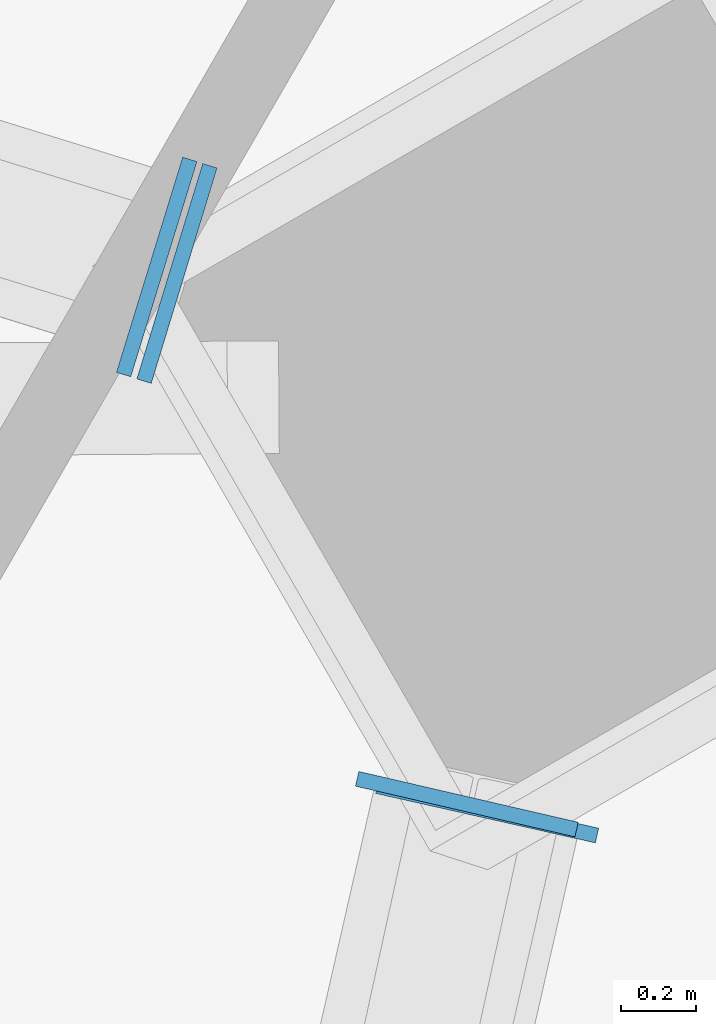
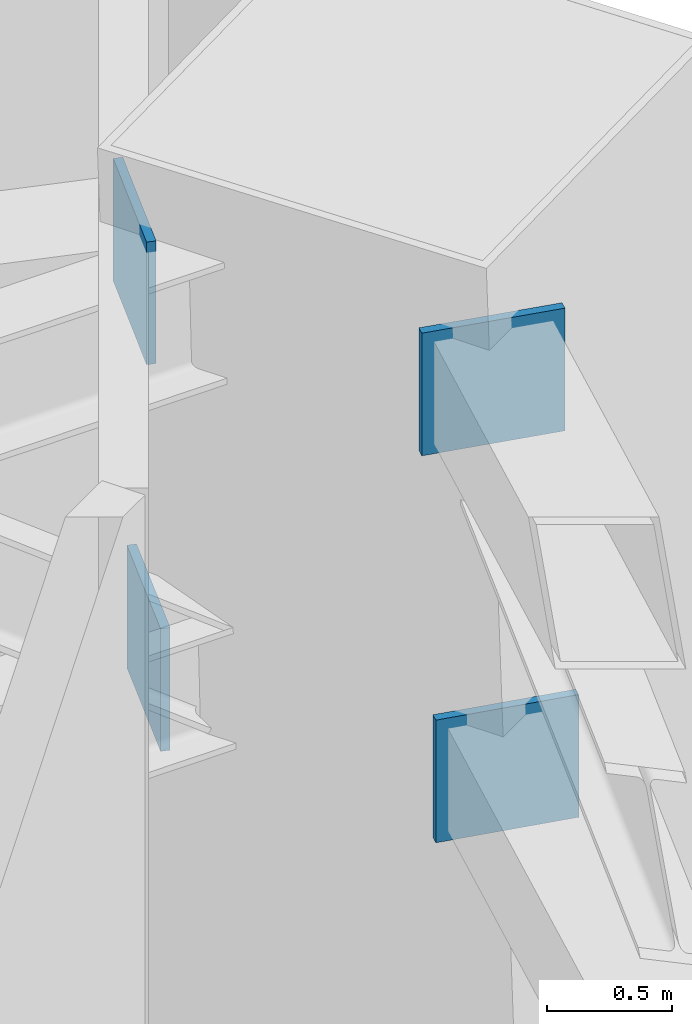
# One storey, part 11 of 13: 4 discrete accessories.
"""IFC4 building model written with IfcOpenShell, lengths in metres."""

import ifcopenshell
import ifcopenshell.guid

model = None  # the IFC model being written
_history = None  # IfcOwnerHistory: only IFC2X3 demands one
_inside = {}  # id of a spatial element -> (the spatial element, [elements in it])
_under = {}  # id of a project, library or spatial element -> (it, [spatial elements below it])
_declared = {}  # id of a project -> (the project, [libraries it declares])
_typed = {}  # id of a type object -> (the type object, [elements of that type])
_made_of = {}  # id of a material, layer set ... -> (it, [elements and type objects made of it])


def new_model(schema):
    """Start an empty IFC model of exactly this schema.

    Asked for "IFC4X3", IfcOpenShell would pick the latest addendum, in which some entities
    have other attributes; the version numbers below select the first issue.
    IFC2X3 requires an IfcOwnerHistory on every rooted entity: one is made here for all.
    """
    global model, _history
    if schema == "IFC4X3":
        model = ifcopenshell.file(schema_version=(4, 3, 0, 0))
    else:
        model = ifcopenshell.file(schema=schema)
    _inside.clear()
    _under.clear()
    _declared.clear()
    _typed.clear()
    _made_of.clear()
    _history = None
    if model.schema == "IFC2X3":
        org = make("IfcOrganization", Name="unknown")
        user = make(
            "IfcPersonAndOrganization",
            ThePerson=make("IfcPerson", FamilyName="unknown"),
            TheOrganization=org,
        )
        app = make(
            "IfcApplication",
            ApplicationDeveloper=org,
            Version="unknown",
            ApplicationFullName="unknown",
            ApplicationIdentifier="unknown",
        )
        _history = make(
            "IfcOwnerHistory",
            OwningUser=user,
            OwningApplication=app,
            ChangeAction="ADDED",
            CreationDate=0,
        )
    return model


def make(cls, **values):
    """One entity of the class cls with the attributes given. An attribute that is None is left unset."""
    return model.create_entity(
        cls, **{name: value for name, value in values.items() if value is not None}
    )


def rooted(cls, **values):
    """An entity with a GlobalId (a new one), such as an element, a storey or a relation."""
    return make(cls, GlobalId=ifcopenshell.guid.new(), OwnerHistory=_history, **values)


def si_unit(unit_type, name, prefix=None):
    """IfcSIUnit, for example si_unit("LENGTHUNIT", "METRE", prefix="MILLI")."""
    return make("IfcSIUnit", UnitType=unit_type, Prefix=prefix, Name=name)


def assignment(units):
    """IfcUnitAssignment: the units of a project."""
    return None if units is None else make("IfcUnitAssignment", Units=units)


def point(xyz):
    """IfcCartesianPoint."""
    return None if xyz is None else make("IfcCartesianPoint", Coordinates=xyz)


def direction(xyz):
    """IfcDirection."""
    return None if xyz is None else make("IfcDirection", DirectionRatios=xyz)


def frame(location, z_axis=None, x_axis=None):
    """IfcAxis2Placement3D, a coordinate frame: its origin and axes. An axis left out is left unset."""
    return make(
        "IfcAxis2Placement3D",
        Location=point(location),
        Axis=direction(z_axis),
        RefDirection=direction(x_axis),
    )


def frame_2d(location, x_axis=None):
    """IfcAxis2Placement2D, a coordinate frame in the plane: its origin and x axis."""
    return make(
        "IfcAxis2Placement2D", Location=point(location), RefDirection=direction(x_axis)
    )


def origin():
    """The frame at (0, 0, 0) with its axes left unset."""
    return frame((0.0, 0.0, 0.0))


def origin_2d():
    """The frame at (0, 0) in the plane with its x axis left unset."""
    return frame_2d((0.0, 0.0))


def place(relative_to, where):
    """IfcLocalPlacement: puts the frame where relative to a parent placement (None: the world)."""
    return make(
        "IfcLocalPlacement", PlacementRelTo=relative_to, RelativePlacement=where
    )


def context(
    kind, dimensions, precision=None, world=None, true_north=None, identifier=None
):
    """IfcGeometricRepresentationContext, for example the 3D "Model" context."""
    return make(
        "IfcGeometricRepresentationContext",
        ContextIdentifier=identifier,
        ContextType=kind,
        CoordinateSpaceDimension=dimensions,
        Precision=precision,
        WorldCoordinateSystem=world,
        TrueNorth=true_north,
    )


def subcontext(parent, identifier, kind, view, scale=None):
    """IfcGeometricRepresentationSubContext, for example "Body" below "Model"."""
    return make(
        "IfcGeometricRepresentationSubContext",
        ContextIdentifier=identifier,
        ContextType=kind,
        ParentContext=parent,
        TargetScale=scale,
        TargetView=view,
    )


def project(units=None, contexts=None):
    """IfcProject with its units and contexts."""
    return rooted(
        "IfcProject",
        Name="project",
        RepresentationContexts=contexts,
        UnitsInContext=assignment(units),
    )


def spatial(cls, under=None, at=None, **own):
    """A site, building, storey or space (cls), placed at a placement, below another one or the project."""
    s = rooted(cls, ObjectPlacement=at, **own)
    if under is not None:
        _under.setdefault(under.id(), (under, []))[1].append(s)
    return s


def profile(cls, at=None, kind="AREA", **sizes):
    """A parametric profile (cls). Its sizes go by their IFC names, for example OverallWidth=200.0."""
    return make(cls, ProfileType=kind, Position=at, **sizes)


def rectangle(**sizes):
    """IfcRectangleProfileDef."""
    return profile("IfcRectangleProfileDef", **sizes)


def extrude(swept, where, along, depth):
    """IfcExtrudedAreaSolid: the profile swept, set in the frame where, extruded along a direction by depth."""
    return make(
        "IfcExtrudedAreaSolid",
        SweptArea=swept,
        Position=where,
        ExtrudedDirection=direction(along),
        Depth=depth,
    )


def shape(context_of_items, identifier, shape_type, items):
    """IfcShapeRepresentation: the items that make up one representation, for example the "Body"."""
    return make(
        "IfcShapeRepresentation",
        ContextOfItems=context_of_items,
        RepresentationIdentifier=identifier,
        RepresentationType=shape_type,
        Items=items,
    )


def material(Name=None, Category=None):
    """IfcMaterial."""
    return make("IfcMaterial", Name=Name, Category=Category)


def material_profile(
    of_material, cross_section, Name=None, Category=None, Priority=None
):
    """IfcMaterialProfile: a cross section and its material."""
    return make(
        "IfcMaterialProfile",
        Name=Name,
        Material=of_material,
        Profile=cross_section,
        Priority=Priority,
        Category=Category,
    )


def profile_set(profiles, Name=None, composite=None):
    """IfcMaterialProfileSet."""
    return make(
        "IfcMaterialProfileSet",
        Name=Name,
        MaterialProfiles=profiles,
        CompositeProfile=composite,
    )


def made_of(thing, what):
    """Note that an element or type object is made of a material, layer set ...; save() writes the relation."""
    if what is not None:
        _made_of.setdefault(what.id(), (what, []))[1].append(thing)
    return thing


def type_object(cls, material=None, **own):
    """A type object (cls), such as IfcWallType, which elements share."""
    return made_of(rooted(cls, **own), material)


def element(
    cls,
    number,
    at=None,
    inside=None,
    cuts=None,
    type_object=None,
    material=None,
    context=None,
    identifier="Body",
    shape_type=None,
    held_by="IfcProductDefinitionShape",
    body=None,
    shapes=None,
    **own,
):
    """One element of the class cls, such as IfcWall. Its Tag is "e" and its number.

    at: its placement. inside: the storey or other place that contains it. cuts: it is an
    opening in that element (IfcRelVoidsElement). A single representation is given by context,
    identifier, shape_type and body (its items); several are given by shapes. held_by: the class
    of the entity that holds the representations. save() writes the other relations.
    """
    e = rooted(cls, Tag="e%d" % number, ObjectPlacement=at, **own)
    if body is not None:
        shapes = [shape(context, identifier, shape_type, body)]
    if shapes is not None:
        e.Representation = make(held_by, Representations=shapes)
    if inside is not None:
        _inside.setdefault(inside.id(), (inside, []))[1].append(e)
    if cuts is not None:
        rooted(
            "IfcRelVoidsElement", RelatingBuildingElement=cuts, RelatedOpeningElement=e
        )
    if type_object is not None:
        _typed.setdefault(type_object.id(), (type_object, []))[1].append(e)
    return made_of(e, material)


def aggregate(whole, parts):
    """IfcRelAggregates: a whole, such as a stair, and the parts it consists of."""
    return rooted("IfcRelAggregates", RelatingObject=whole, RelatedObjects=parts)


def save(model, path):
    """Write the relations noted so far, then the file.

    IfcRelAggregates (storeys below a building ...), IfcRelContainedInSpatialStructure (elements
    in a storey), IfcRelDefinesByType, IfcRelAssociatesMaterial and IfcRelDeclares: one each for
    every whole, place, type object, material and project.
    """
    for whole, parts in _under.values():
        aggregate(whole, parts)
    for where, things in _inside.values():
        rooted(
            "IfcRelContainedInSpatialStructure",
            RelatedElements=things,
            RelatingStructure=where,
        )
    for kind, things in _typed.values():
        rooted("IfcRelDefinesByType", RelatedObjects=things, RelatingType=kind)
    for what, things in _made_of.values():
        rooted("IfcRelAssociatesMaterial", RelatedObjects=things, RelatingMaterial=what)
    for by, libraries in _declared.values():
        rooted("IfcRelDeclares", RelatingContext=by, RelatedDefinitions=libraries)
    model.write(path)


model = new_model("IFC4")

# Units and contexts
model_context = context("Model", 3, precision=1e-05, world=origin(), true_north=direction((0.0, 1.0)))
body_context = subcontext(model_context, "Body", "Model", "MODEL_VIEW")
ifc_project = project(units=[si_unit("LENGTHUNIT", "METRE"), si_unit("AREAUNIT", "SQUARE_METRE"), si_unit("VOLUMEUNIT", "CUBIC_METRE"), si_unit("PLANEANGLEUNIT", "RADIAN"), si_unit("MASSUNIT", "GRAM", prefix="KILO")], contexts=[model_context])

# Site, building, storey
site_placement = place(None, origin())
site = spatial("IfcSite", under=ifc_project, at=site_placement, CompositionType="ELEMENT")
building_placement = place(site_placement, origin())
building = spatial("IfcBuilding", under=site, at=building_placement, Name="Altiplano Prism Tower", CompositionType="ELEMENT")
storey_placement = place(building_placement, frame((0.0, 0.0, 286.0)))
storey = spatial("IfcBuildingStorey", under=building, at=storey_placement, Name="L74", CompositionType="ELEMENT", Elevation=286.0)

# Discrete accessories
ifc_material = material(Name="Steel S355", Category="steel")
ifc_material_profile = material_profile(ifc_material, rectangle(XDim=0.60009765625, YDim=0.60009765625, at=origin_2d()), Name="Truss end plate 600x600x40")
ifc_profile_set = profile_set([ifc_material_profile], Name="Steel S355")
discrete_accessory_type = type_object("IfcDiscreteAccessoryType", Name="Truss end plate 600x600x40", PredefinedType="ANCHORPLATE", material=ifc_profile_set)
for number, where, z_axis, x_axis, name in (
    (1, (105.064208984375, 101.36474609375, 2.85009765625), (-0.219512195122, -0.975609756098, 0.0), (0.975609756098, -0.219512195122, 0.0), "Truss end plate Belt truss R3 chord b1 end 2"),
    (2, (105.01025390625, 101.38232421875, 4.75), (-0.225304207648, -0.974288465505, 0.0), (0.974288465505, -0.225304207648, 0.0), "Truss end plate Belt truss R3 chord t1 end 2"),
    (3, (104.25244140625, 102.771240234375, 2.85009765625), (-0.956304273979, 0.292373281217, 0.0), (-0.292373281217, -0.956304273979, 0.0), "Truss end plate Belt truss R3 chord b2 end 1"),
):
    element("IfcDiscreteAccessory", number, at=place(storey_placement, frame(where, z_axis=z_axis, x_axis=x_axis)), inside=storey, type_object=discrete_accessory_type, Name=name, PredefinedType="ANCHORPLATE", context=body_context, shape_type="SweptSolid", body=[
        extrude(rectangle(XDim=0.60009765625, YDim=0.60009765625, at=origin_2d()), origin(), (0.0, 0.0, 1.0), 0.0400390625),
    ])
discrete_accessory_placement = place(storey_placement, frame((104.1982421875, 102.78857421875, 4.75), z_axis=(-0.955779008722, 0.294085848838, 0.0), x_axis=(-0.294085848838, -0.955779008722, 0.0)))
element("IfcDiscreteAccessory", 4, at=discrete_accessory_placement, inside=storey, type_object=discrete_accessory_type, Name="Truss end plate Belt truss R3 chord t2 end 1", PredefinedType="ANCHORPLATE", context=body_context, shape_type="SweptSolid", body=[
    extrude(rectangle(XDim=0.60009765625, YDim=0.60009765625, at=origin_2d()), origin(), (0.0, 0.0, 1.0), 0.039794921875),
])

save(model, "model.ifc")
